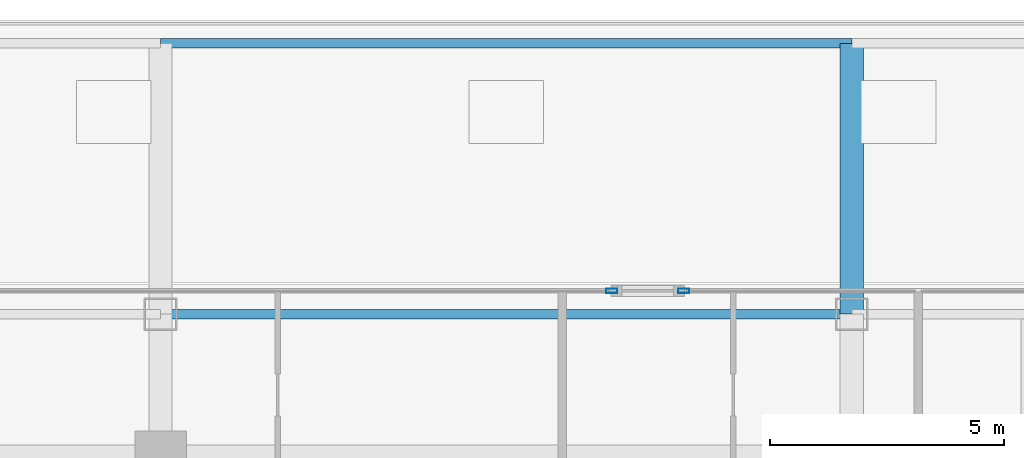
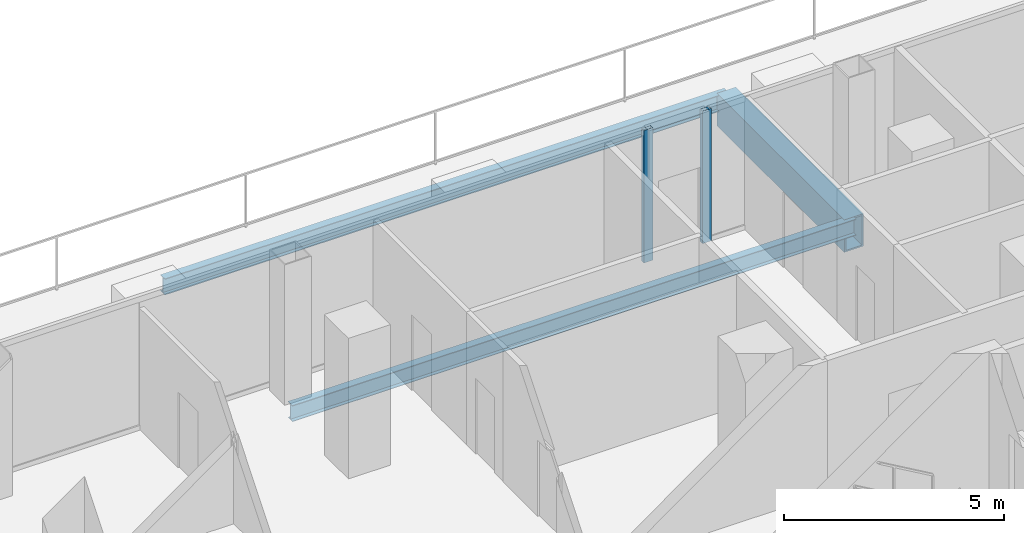
# One storey, part 15 of 29: 3 beams, 2 members, 2 elements without a shape of their own.
"""IFC4 building model written with IfcOpenShell, lengths in metres."""

from ifc_helpers import new_model, si_unit, direction, frame, origin, origin_2d, place, context, subcontext, project, spatial, hollow_rectangle, i_section, extrude, material, layer, layer_set, material_profile, profile_set, type_object, element, aggregate, save


model = new_model("IFC4")

# Units and contexts
model_context = context("Model", 3, precision=1e-05, world=origin(), true_north=direction((0.0, 1.0)))
body_context = subcontext(model_context, "Body", "Model", "MODEL_VIEW")
ifc_project = project(units=[si_unit("LENGTHUNIT", "METRE"), si_unit("AREAUNIT", "SQUARE_METRE"), si_unit("VOLUMEUNIT", "CUBIC_METRE"), si_unit("PLANEANGLEUNIT", "RADIAN"), si_unit("MASSUNIT", "GRAM", prefix="KILO")], contexts=[model_context])

# Site, building, storey
site_placement = place(None, origin())
site = spatial("IfcSite", under=ifc_project, at=site_placement, CompositionType="ELEMENT")
building_placement = place(site_placement, origin())
building = spatial("IfcBuilding", under=site, at=building_placement, Name="Khorvyn Point Tower", CompositionType="ELEMENT")
storey_placement = place(building_placement, frame((0.0, 0.0, 136.800048828125)))
storey = spatial("IfcBuildingStorey", under=building, at=storey_placement, Name="L34", CompositionType="ELEMENT", Elevation=136.800048828125)

# Curtain wall, member
ifc_material_1 = material(Name="Anodised aluminium 6063-T6 and laminated Low-E glass", Category="aluminium")
ifc_layer = layer(ifc_material_1, 0.18994140625)
ifc_layer_set = layer_set([ifc_layer], Name="Stick-Built Acoustic Curtain Wall CW-SYS-03")
curtain_wall_type = type_object("IfcCurtainWallType", Name="Stick-Built Acoustic Curtain Wall CW-SYS-03", PredefinedType="NOTDEFINED", material=ifc_layer_set)
curtain_wall_1_placement = place(storey_placement, origin())
curtain_wall_1 = element("IfcCurtainWall", 1, at=curtain_wall_1_placement, inside=storey, type_object=curtain_wall_type, Name="Curtain Wall", PredefinedType="NOTDEFINED")
ifc_material_2 = material(Name="Anodised aluminium 6063-T6", Category="aluminium")
ifc_material_profile_1 = material_profile(ifc_material_2, hollow_rectangle(XDim=0.10009765625, YDim=0.239990234375, WallThickness=0.0048828125, at=origin_2d()))
ifc_profile_set_1 = profile_set([ifc_material_profile_1], Name="Anodised aluminium 6063-T6 ALU-MUL-100x240")
member_type = type_object("IfcMemberType", Name="Anodised Aluminium 6063-T6 Mullion ALU-MUL-100x240", PredefinedType="MULLION", material=ifc_profile_set_1)
member_1_placement = place(storey_placement, frame((2.261962890625, 23.64990234375, 0.0), z_axis=(0.0, 0.0, 1.0), x_axis=(0.0, 1.0, 0.0)))
member_1 = element("IfcMember", 2, at=member_1_placement, type_object=member_type, Name="Transom", PredefinedType="MULLION", context=body_context, shape_type="SweptSolid", body=[
    extrude(hollow_rectangle(XDim=0.10009765625, YDim=0.239990234375, WallThickness=0.0048828125, at=origin_2d()), origin(), (0.0, 0.0, 1.0), 3.679931640625),
])
aggregate(curtain_wall_1, [member_1])

curtain_wall_2_placement = place(storey_placement, origin())
curtain_wall_2 = element("IfcCurtainWall", 3, at=curtain_wall_2_placement, inside=storey, type_object=curtain_wall_type, Name="Curtain Wall", PredefinedType="NOTDEFINED")
member_2_placement = place(storey_placement, frame((3.802001953125, 23.64990234375, 0.0), z_axis=(0.0, 0.0, 1.0), x_axis=(0.0, 1.0, 0.0)))
member_2 = element("IfcMember", 4, at=member_2_placement, type_object=member_type, Name="Transom", PredefinedType="MULLION", context=body_context, shape_type="SweptSolid", body=[
    extrude(hollow_rectangle(XDim=0.10009765625, YDim=0.239990234375, WallThickness=0.0048828125, at=origin_2d()), origin(), (0.0, 0.0, 1.0), 3.679931640625),
])
aggregate(curtain_wall_2, [member_2])

# Beams
ifc_material_3 = material(Name="Steel S355", Category="steel")
ifc_material_profile_2 = material_profile(ifc_material_3, i_section(OverallWidth=0.199951171875, OverallDepth=0.449951171875, WebThickness=0.009033203125, FlangeThickness=0.013916015625, at=origin_2d()))
ifc_profile_set_2 = profile_set([ifc_material_profile_2], Name="Steel S355 H450x200x9x14")
beam_type_1 = type_object("IfcBeamType", Name="Steel S355 Spandrel H450x200x9x14", PredefinedType="SPANDREL", material=ifc_profile_set_2)
for number, where, z_axis, x_axis, name in (
    (5, (-7.39990234375, 23.14990234375, -0.505126953125), (1.0, 0.0, 0.0), (0.0, 1.0, 0.0), "Beam"),
    (6, (-7.39990234375, 28.949951171875, -0.505126953125), (1.0, 0.0, 0.0), (0.0, 1.0, 0.0), "Beam"),
):
    element("IfcBeam", number, at=place(storey_placement, frame(where, z_axis=z_axis, x_axis=x_axis)), inside=storey, type_object=beam_type_1, Name=name, PredefinedType="SPANDREL", context=body_context, shape_type="SweptSolid", body=[
        extrude(i_section(OverallWidth=0.199951171875, OverallDepth=0.449951171875, WebThickness=0.009033203125, FlangeThickness=0.013916015625, at=origin_2d()), origin(), (0.0, 0.0, 1.0), 14.7998046875),
    ])
ifc_material_4 = material(Name="Steel S450", Category="steel")
ifc_material_profile_3 = material_profile(ifc_material_4, hollow_rectangle(XDim=0.5, YDim=0.89990234375, WallThickness=0.0400390625, at=origin_2d()))
ifc_profile_set_3 = profile_set([ifc_material_profile_3], Name="Steel S450 BOX900x500x40")
beam_type_2 = type_object("IfcBeamType", Name="Steel S450 Beam BOX900x500x40", PredefinedType="BEAM", material=ifc_profile_set_3)
beam_placement = place(storey_placement, frame((7.39990234375, 23.14990234375, -0.72998046875), z_axis=(0.0, 1.0, 0.0), x_axis=(-1.0, 0.0, 0.0)))
element("IfcBeam", 7, at=beam_placement, inside=storey, type_object=beam_type_2, Name="Beam", PredefinedType="BEAM", context=body_context, shape_type="SweptSolid", body=[
    extrude(hollow_rectangle(XDim=0.5, YDim=0.89990234375, WallThickness=0.0400390625, at=origin_2d()), origin(), (0.0, 0.0, 1.0), 5.800048828125),
])

save(model, "model.ifc")
